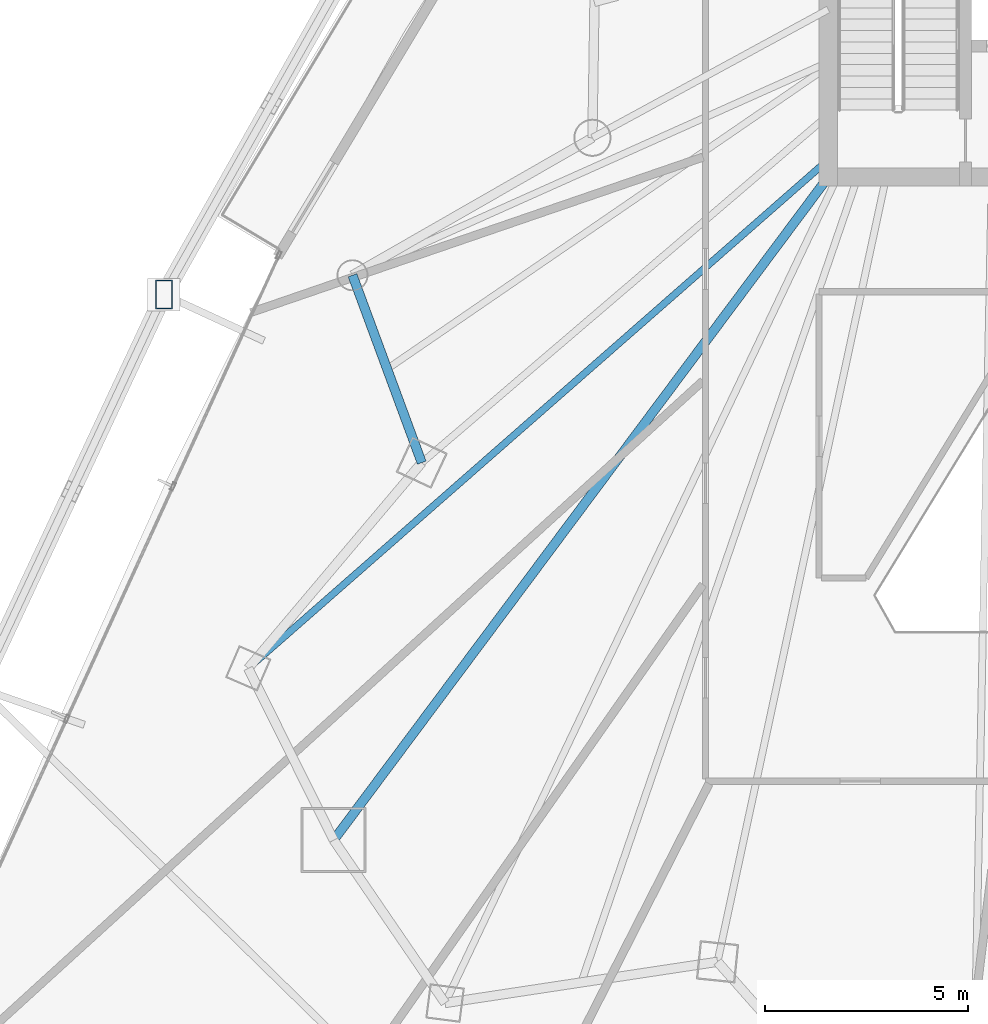
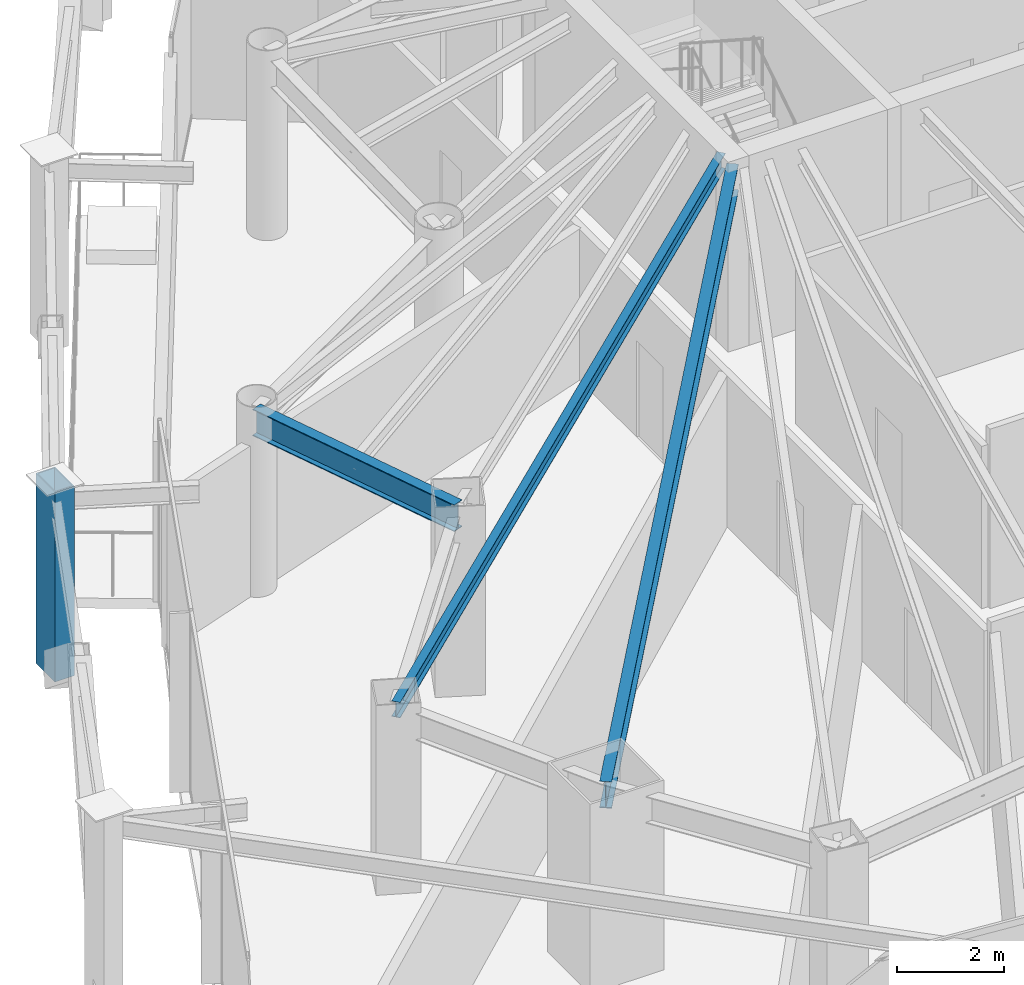
# One storey, part 9 of 33: 3 beams, 1 member.
"""IFC4 building model written with IfcOpenShell, lengths in metres."""

import ifcopenshell
import ifcopenshell.guid

model = None  # the IFC model being written
_history = None  # IfcOwnerHistory: only IFC2X3 demands one
_inside = {}  # id of a spatial element -> (the spatial element, [elements in it])
_under = {}  # id of a project, library or spatial element -> (it, [spatial elements below it])
_declared = {}  # id of a project -> (the project, [libraries it declares])
_typed = {}  # id of a type object -> (the type object, [elements of that type])
_made_of = {}  # id of a material, layer set ... -> (it, [elements and type objects made of it])


def new_model(schema):
    """Start an empty IFC model of exactly this schema.

    Asked for "IFC4X3", IfcOpenShell would pick the latest addendum, in which some entities
    have other attributes; the version numbers below select the first issue.
    IFC2X3 requires an IfcOwnerHistory on every rooted entity: one is made here for all.
    """
    global model, _history
    if schema == "IFC4X3":
        model = ifcopenshell.file(schema_version=(4, 3, 0, 0))
    else:
        model = ifcopenshell.file(schema=schema)
    _inside.clear()
    _under.clear()
    _declared.clear()
    _typed.clear()
    _made_of.clear()
    _history = None
    if model.schema == "IFC2X3":
        org = make("IfcOrganization", Name="unknown")
        user = make(
            "IfcPersonAndOrganization",
            ThePerson=make("IfcPerson", FamilyName="unknown"),
            TheOrganization=org,
        )
        app = make(
            "IfcApplication",
            ApplicationDeveloper=org,
            Version="unknown",
            ApplicationFullName="unknown",
            ApplicationIdentifier="unknown",
        )
        _history = make(
            "IfcOwnerHistory",
            OwningUser=user,
            OwningApplication=app,
            ChangeAction="ADDED",
            CreationDate=0,
        )
    return model


def make(cls, **values):
    """One entity of the class cls with the attributes given. An attribute that is None is left unset."""
    return model.create_entity(
        cls, **{name: value for name, value in values.items() if value is not None}
    )


def rooted(cls, **values):
    """An entity with a GlobalId (a new one), such as an element, a storey or a relation."""
    return make(cls, GlobalId=ifcopenshell.guid.new(), OwnerHistory=_history, **values)


def si_unit(unit_type, name, prefix=None):
    """IfcSIUnit, for example si_unit("LENGTHUNIT", "METRE", prefix="MILLI")."""
    return make("IfcSIUnit", UnitType=unit_type, Prefix=prefix, Name=name)


def assignment(units):
    """IfcUnitAssignment: the units of a project."""
    return None if units is None else make("IfcUnitAssignment", Units=units)


def point(xyz):
    """IfcCartesianPoint."""
    return None if xyz is None else make("IfcCartesianPoint", Coordinates=xyz)


def direction(xyz):
    """IfcDirection."""
    return None if xyz is None else make("IfcDirection", DirectionRatios=xyz)


def frame(location, z_axis=None, x_axis=None):
    """IfcAxis2Placement3D, a coordinate frame: its origin and axes. An axis left out is left unset."""
    return make(
        "IfcAxis2Placement3D",
        Location=point(location),
        Axis=direction(z_axis),
        RefDirection=direction(x_axis),
    )


def frame_2d(location, x_axis=None):
    """IfcAxis2Placement2D, a coordinate frame in the plane: its origin and x axis."""
    return make(
        "IfcAxis2Placement2D", Location=point(location), RefDirection=direction(x_axis)
    )


def origin():
    """The frame at (0, 0, 0) with its axes left unset."""
    return frame((0.0, 0.0, 0.0))


def origin_2d():
    """The frame at (0, 0) in the plane with its x axis left unset."""
    return frame_2d((0.0, 0.0))


def place(relative_to, where):
    """IfcLocalPlacement: puts the frame where relative to a parent placement (None: the world)."""
    return make(
        "IfcLocalPlacement", PlacementRelTo=relative_to, RelativePlacement=where
    )


def context(
    kind, dimensions, precision=None, world=None, true_north=None, identifier=None
):
    """IfcGeometricRepresentationContext, for example the 3D "Model" context."""
    return make(
        "IfcGeometricRepresentationContext",
        ContextIdentifier=identifier,
        ContextType=kind,
        CoordinateSpaceDimension=dimensions,
        Precision=precision,
        WorldCoordinateSystem=world,
        TrueNorth=true_north,
    )


def subcontext(parent, identifier, kind, view, scale=None):
    """IfcGeometricRepresentationSubContext, for example "Body" below "Model"."""
    return make(
        "IfcGeometricRepresentationSubContext",
        ContextIdentifier=identifier,
        ContextType=kind,
        ParentContext=parent,
        TargetScale=scale,
        TargetView=view,
    )


def project(units=None, contexts=None):
    """IfcProject with its units and contexts."""
    return rooted(
        "IfcProject",
        Name="project",
        RepresentationContexts=contexts,
        UnitsInContext=assignment(units),
    )


def spatial(cls, under=None, at=None, **own):
    """A site, building, storey or space (cls), placed at a placement, below another one or the project."""
    s = rooted(cls, ObjectPlacement=at, **own)
    if under is not None:
        _under.setdefault(under.id(), (under, []))[1].append(s)
    return s


def profile(cls, at=None, kind="AREA", **sizes):
    """A parametric profile (cls). Its sizes go by their IFC names, for example OverallWidth=200.0."""
    return make(cls, ProfileType=kind, Position=at, **sizes)


def hollow_rectangle(**sizes):
    """IfcRectangleHollowProfileDef."""
    return profile("IfcRectangleHollowProfileDef", **sizes)


def i_section(**sizes):
    """IfcIShapeProfileDef."""
    return profile("IfcIShapeProfileDef", **sizes)


def extrude(swept, where, along, depth):
    """IfcExtrudedAreaSolid: the profile swept, set in the frame where, extruded along a direction by depth."""
    return make(
        "IfcExtrudedAreaSolid",
        SweptArea=swept,
        Position=where,
        ExtrudedDirection=direction(along),
        Depth=depth,
    )


def shape(context_of_items, identifier, shape_type, items):
    """IfcShapeRepresentation: the items that make up one representation, for example the "Body"."""
    return make(
        "IfcShapeRepresentation",
        ContextOfItems=context_of_items,
        RepresentationIdentifier=identifier,
        RepresentationType=shape_type,
        Items=items,
    )


def material(Name=None, Category=None):
    """IfcMaterial."""
    return make("IfcMaterial", Name=Name, Category=Category)


def material_profile(
    of_material, cross_section, Name=None, Category=None, Priority=None
):
    """IfcMaterialProfile: a cross section and its material."""
    return make(
        "IfcMaterialProfile",
        Name=Name,
        Material=of_material,
        Profile=cross_section,
        Priority=Priority,
        Category=Category,
    )


def profile_set(profiles, Name=None, composite=None):
    """IfcMaterialProfileSet."""
    return make(
        "IfcMaterialProfileSet",
        Name=Name,
        MaterialProfiles=profiles,
        CompositeProfile=composite,
    )


def made_of(thing, what):
    """Note that an element or type object is made of a material, layer set ...; save() writes the relation."""
    if what is not None:
        _made_of.setdefault(what.id(), (what, []))[1].append(thing)
    return thing


def type_object(cls, material=None, **own):
    """A type object (cls), such as IfcWallType, which elements share."""
    return made_of(rooted(cls, **own), material)


def element(
    cls,
    number,
    at=None,
    inside=None,
    cuts=None,
    type_object=None,
    material=None,
    context=None,
    identifier="Body",
    shape_type=None,
    held_by="IfcProductDefinitionShape",
    body=None,
    shapes=None,
    **own,
):
    """One element of the class cls, such as IfcWall. Its Tag is "e" and its number.

    at: its placement. inside: the storey or other place that contains it. cuts: it is an
    opening in that element (IfcRelVoidsElement). A single representation is given by context,
    identifier, shape_type and body (its items); several are given by shapes. held_by: the class
    of the entity that holds the representations. save() writes the other relations.
    """
    e = rooted(cls, Tag="e%d" % number, ObjectPlacement=at, **own)
    if body is not None:
        shapes = [shape(context, identifier, shape_type, body)]
    if shapes is not None:
        e.Representation = make(held_by, Representations=shapes)
    if inside is not None:
        _inside.setdefault(inside.id(), (inside, []))[1].append(e)
    if cuts is not None:
        rooted(
            "IfcRelVoidsElement", RelatingBuildingElement=cuts, RelatedOpeningElement=e
        )
    if type_object is not None:
        _typed.setdefault(type_object.id(), (type_object, []))[1].append(e)
    return made_of(e, material)


def aggregate(whole, parts):
    """IfcRelAggregates: a whole, such as a stair, and the parts it consists of."""
    return rooted("IfcRelAggregates", RelatingObject=whole, RelatedObjects=parts)


def save(model, path):
    """Write the relations noted so far, then the file.

    IfcRelAggregates (storeys below a building ...), IfcRelContainedInSpatialStructure (elements
    in a storey), IfcRelDefinesByType, IfcRelAssociatesMaterial and IfcRelDeclares: one each for
    every whole, place, type object, material and project.
    """
    for whole, parts in _under.values():
        aggregate(whole, parts)
    for where, things in _inside.values():
        rooted(
            "IfcRelContainedInSpatialStructure",
            RelatedElements=things,
            RelatingStructure=where,
        )
    for kind, things in _typed.values():
        rooted("IfcRelDefinesByType", RelatedObjects=things, RelatingType=kind)
    for what, things in _made_of.values():
        rooted("IfcRelAssociatesMaterial", RelatedObjects=things, RelatingMaterial=what)
    for by, libraries in _declared.values():
        rooted("IfcRelDeclares", RelatingContext=by, RelatedDefinitions=libraries)
    model.write(path)


model = new_model("IFC4")

# Units and contexts
model_context = context("Model", 3, precision=1e-05, world=origin(), true_north=direction((0.0, 1.0)))
body_context = subcontext(model_context, "Body", "Model", "MODEL_VIEW")
ifc_project = project(units=[si_unit("LENGTHUNIT", "METRE"), si_unit("AREAUNIT", "SQUARE_METRE"), si_unit("VOLUMEUNIT", "CUBIC_METRE"), si_unit("PLANEANGLEUNIT", "RADIAN"), si_unit("MASSUNIT", "GRAM", prefix="KILO")], contexts=[model_context])

# Site, building, storey
site_placement = place(None, origin())
site = spatial("IfcSite", under=ifc_project, at=site_placement, CompositionType="ELEMENT")
building_placement = place(site_placement, origin())
building = spatial("IfcBuilding", under=site, at=building_placement, Name="Orvanel Arch Residences", CompositionType="ELEMENT")
storey_placement = place(building_placement, frame((0.0, 0.0, 59.89990234375)))
storey = spatial("IfcBuildingStorey", under=building, at=storey_placement, Name="L16", CompositionType="ELEMENT", Elevation=59.89990234375)

# Beams
ifc_material_1 = material(Name="Structural steel AS/NZS 3679.1 Grade 300 (300 MPa)", Category="steel")
ifc_material_profile_1 = material_profile(ifc_material_1, i_section(OverallWidth=0.22900390625, OverallDepth=0.612060546875, WebThickness=0.011962890625, FlangeThickness=0.01953125, at=origin_2d()), Name="610UB125")
ifc_profile_set_1 = profile_set([ifc_material_profile_1], Name="Structural steel AS/NZS 3679.1 Grade 300 (300 MPa)")
beam_type_1 = type_object("IfcBeamType", Name="BG-610UB", PredefinedType="BEAM", material=ifc_profile_set_1)
beam_1_placement = place(storey_placement, frame((26.375, 26.675048828125, 3.80419921875), z_axis=(-0.597893733742, -0.801575375839, 0.0), x_axis=(0.801575375839, -0.597893733742, 0.0)))
element("IfcBeam", 1, at=beam_1_placement, inside=storey, type_object=beam_type_1, Name="L16 South-West Radial Girder", PredefinedType="BEAM", context=body_context, shape_type="SweptSolid", body=[
    extrude(i_section(OverallWidth=0.22900390625, OverallDepth=0.612060546875, WebThickness=0.011962890625, FlangeThickness=0.01953125, at=origin_2d()), origin(), (0.0, 0.0, 1.0), 20.36474609375),
])
ifc_material_profile_2 = material_profile(ifc_material_1, i_section(OverallWidth=0.1708984375, OverallDepth=0.35595703125, WebThickness=0.00732421875, FlangeThickness=0.011474609375, at=origin_2d()), Name="360UB50.7")
ifc_profile_set_2 = profile_set([ifc_material_profile_2], Name="Structural steel AS/NZS 3679.1 Grade 300 (300 MPa)")
beam_type_2 = type_object("IfcBeamType", Name="BJ-360UB", PredefinedType="JOIST", material=ifc_profile_set_2)
beam_2_placement = place(storey_placement, frame((26.375, 27.10009765625, 3.93212890625), z_axis=(-0.751924114057, -0.659249669472, 0.0), x_axis=(0.659249669472, -0.751924114057, 0.0)))
element("IfcBeam", 2, at=beam_2_placement, inside=storey, type_object=beam_type_2, Name="L16 MW Wing Floor Joist", PredefinedType="JOIST", context=body_context, shape_type="SweptSolid", body=[
    extrude(i_section(OverallWidth=0.1708984375, OverallDepth=0.35595703125, WebThickness=0.00732421875, FlangeThickness=0.011474609375, at=origin_2d()), origin(), (0.0, 0.0, 1.0), 18.9912109375),
])

# Member
ifc_material_2 = material(Name="Structural steel AS/NZS 3678 Grade 350", Category="steel")
ifc_material_profile_3 = material_profile(ifc_material_2, hollow_rectangle(XDim=0.419921875, YDim=0.719970703125, WallThickness=0.02490234375, at=origin_2d()), Name="RHS720x420x25")
ifc_profile_set_3 = profile_set([ifc_material_profile_3], Name="Structural steel AS/NZS 3678 Grade 350")
member_type = type_object("IfcMemberType", Name="CH-720RHS-EXT", PredefinedType="CHORD", material=ifc_profile_set_3)
member_placement = place(storey_placement, frame((10.01806640625, 23.781005859375, 0.0), z_axis=(0.0, 0.0, 1.0), x_axis=(1.0, 0.0, 0.0)))
element("IfcMember", 3, at=member_placement, inside=storey, type_object=member_type, Name="L16 Outer Perimeter Frame Post 03", PredefinedType="CHORD", context=body_context, shape_type="SweptSolid", body=[
    extrude(hollow_rectangle(XDim=0.419921875, YDim=0.719970703125, WallThickness=0.02490234375, at=origin_2d()), origin(), (0.0, 0.0, 1.0), 4.35009765625),
])

# Beam
ifc_material_profile_4 = material_profile(ifc_material_1, i_section(OverallWidth=0.22900390625, OverallDepth=0.612060546875, WebThickness=0.011962890625, FlangeThickness=0.01953125, at=origin_2d()), Name="610UB125")
ifc_profile_set_4 = profile_set([ifc_material_profile_4], Name="Structural steel AS/NZS 3679.1 Grade 300 (300 MPa)")
beam_type_3 = type_object("IfcBeamType", Name="SP-610UB", PredefinedType="SPANDREL", material=ifc_profile_set_4)
beam_3_placement = place(storey_placement, frame((14.662109375, 24.256103515625, 3.80419921875), z_axis=(0.346588434017, -0.938017301229, 0.0), x_axis=(0.938017301229, 0.346588434017, 0.0)))
element("IfcBeam", 4, at=beam_3_placement, inside=storey, type_object=beam_type_3, Name="L16 Perimeter Spandrel Beam 22", PredefinedType="SPANDREL", context=body_context, shape_type="SweptSolid", body=[
    extrude(i_section(OverallWidth=0.22900390625, OverallDepth=0.612060546875, WebThickness=0.011962890625, FlangeThickness=0.01953125, at=origin_2d()), origin(), (0.0, 0.0, 1.0), 4.9189453125),
])

save(model, "model.ifc")
